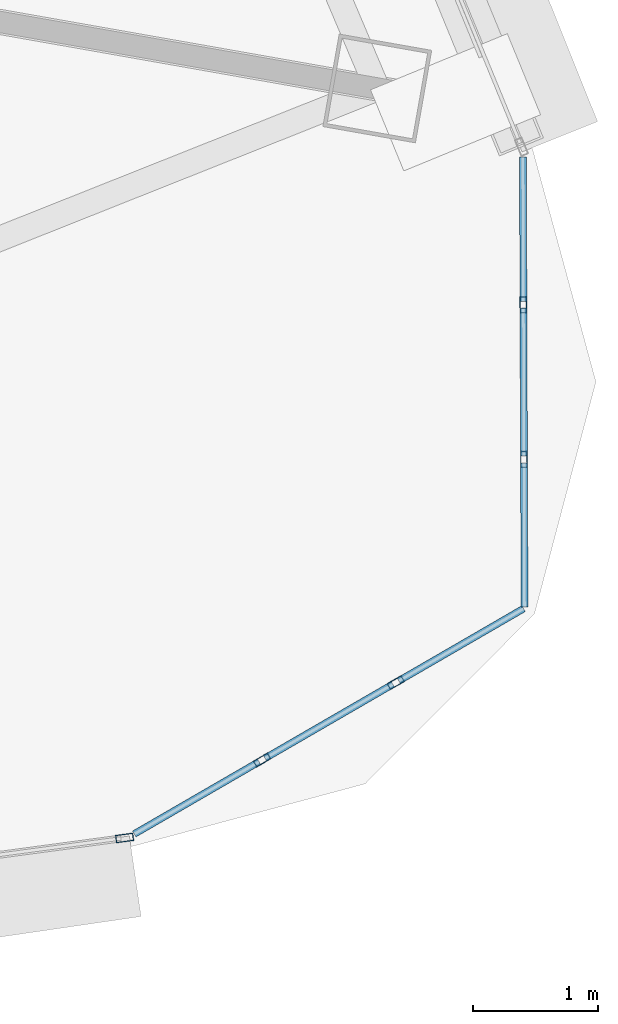
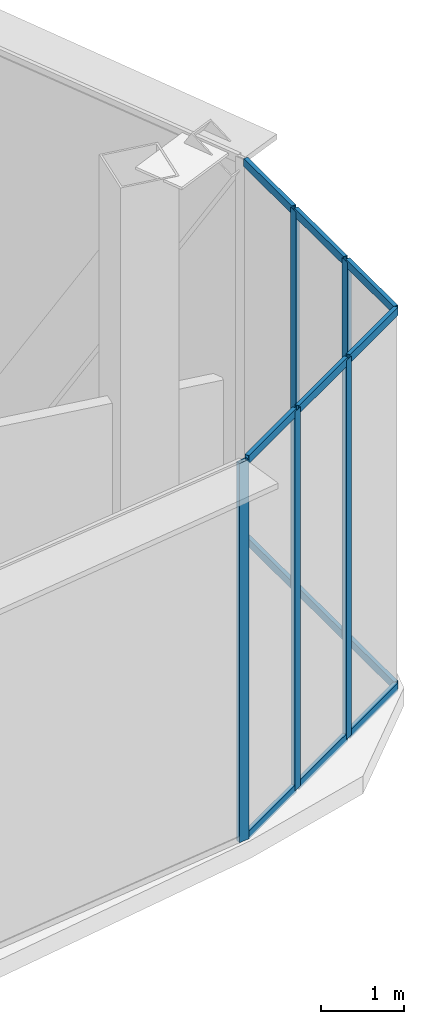
# One storey, part 14 of 33: 17 members, 3 elements without a shape of their own.
"""IFC4 building model written with IfcOpenShell, lengths in metres."""

import ifcopenshell
import ifcopenshell.guid

model = None  # the IFC model being written
_history = None  # IfcOwnerHistory: only IFC2X3 demands one
_inside = {}  # id of a spatial element -> (the spatial element, [elements in it])
_under = {}  # id of a project, library or spatial element -> (it, [spatial elements below it])
_declared = {}  # id of a project -> (the project, [libraries it declares])
_typed = {}  # id of a type object -> (the type object, [elements of that type])
_made_of = {}  # id of a material, layer set ... -> (it, [elements and type objects made of it])


def new_model(schema):
    """Start an empty IFC model of exactly this schema.

    Asked for "IFC4X3", IfcOpenShell would pick the latest addendum, in which some entities
    have other attributes; the version numbers below select the first issue.
    IFC2X3 requires an IfcOwnerHistory on every rooted entity: one is made here for all.
    """
    global model, _history
    if schema == "IFC4X3":
        model = ifcopenshell.file(schema_version=(4, 3, 0, 0))
    else:
        model = ifcopenshell.file(schema=schema)
    _inside.clear()
    _under.clear()
    _declared.clear()
    _typed.clear()
    _made_of.clear()
    _history = None
    if model.schema == "IFC2X3":
        org = make("IfcOrganization", Name="unknown")
        user = make(
            "IfcPersonAndOrganization",
            ThePerson=make("IfcPerson", FamilyName="unknown"),
            TheOrganization=org,
        )
        app = make(
            "IfcApplication",
            ApplicationDeveloper=org,
            Version="unknown",
            ApplicationFullName="unknown",
            ApplicationIdentifier="unknown",
        )
        _history = make(
            "IfcOwnerHistory",
            OwningUser=user,
            OwningApplication=app,
            ChangeAction="ADDED",
            CreationDate=0,
        )
    return model


def make(cls, **values):
    """One entity of the class cls with the attributes given. An attribute that is None is left unset."""
    return model.create_entity(
        cls, **{name: value for name, value in values.items() if value is not None}
    )


def rooted(cls, **values):
    """An entity with a GlobalId (a new one), such as an element, a storey or a relation."""
    return make(cls, GlobalId=ifcopenshell.guid.new(), OwnerHistory=_history, **values)


def si_unit(unit_type, name, prefix=None):
    """IfcSIUnit, for example si_unit("LENGTHUNIT", "METRE", prefix="MILLI")."""
    return make("IfcSIUnit", UnitType=unit_type, Prefix=prefix, Name=name)


def assignment(units):
    """IfcUnitAssignment: the units of a project."""
    return None if units is None else make("IfcUnitAssignment", Units=units)


def point(xyz):
    """IfcCartesianPoint."""
    return None if xyz is None else make("IfcCartesianPoint", Coordinates=xyz)


def direction(xyz):
    """IfcDirection."""
    return None if xyz is None else make("IfcDirection", DirectionRatios=xyz)


def frame(location, z_axis=None, x_axis=None):
    """IfcAxis2Placement3D, a coordinate frame: its origin and axes. An axis left out is left unset."""
    return make(
        "IfcAxis2Placement3D",
        Location=point(location),
        Axis=direction(z_axis),
        RefDirection=direction(x_axis),
    )


def frame_2d(location, x_axis=None):
    """IfcAxis2Placement2D, a coordinate frame in the plane: its origin and x axis."""
    return make(
        "IfcAxis2Placement2D", Location=point(location), RefDirection=direction(x_axis)
    )


def origin():
    """The frame at (0, 0, 0) with its axes left unset."""
    return frame((0.0, 0.0, 0.0))


def origin_2d():
    """The frame at (0, 0) in the plane with its x axis left unset."""
    return frame_2d((0.0, 0.0))


def place(relative_to, where):
    """IfcLocalPlacement: puts the frame where relative to a parent placement (None: the world)."""
    return make(
        "IfcLocalPlacement", PlacementRelTo=relative_to, RelativePlacement=where
    )


def context(
    kind, dimensions, precision=None, world=None, true_north=None, identifier=None
):
    """IfcGeometricRepresentationContext, for example the 3D "Model" context."""
    return make(
        "IfcGeometricRepresentationContext",
        ContextIdentifier=identifier,
        ContextType=kind,
        CoordinateSpaceDimension=dimensions,
        Precision=precision,
        WorldCoordinateSystem=world,
        TrueNorth=true_north,
    )


def subcontext(parent, identifier, kind, view, scale=None):
    """IfcGeometricRepresentationSubContext, for example "Body" below "Model"."""
    return make(
        "IfcGeometricRepresentationSubContext",
        ContextIdentifier=identifier,
        ContextType=kind,
        ParentContext=parent,
        TargetScale=scale,
        TargetView=view,
    )


def project(units=None, contexts=None):
    """IfcProject with its units and contexts."""
    return rooted(
        "IfcProject",
        Name="project",
        RepresentationContexts=contexts,
        UnitsInContext=assignment(units),
    )


def spatial(cls, under=None, at=None, **own):
    """A site, building, storey or space (cls), placed at a placement, below another one or the project."""
    s = rooted(cls, ObjectPlacement=at, **own)
    if under is not None:
        _under.setdefault(under.id(), (under, []))[1].append(s)
    return s


def profile(cls, at=None, kind="AREA", **sizes):
    """A parametric profile (cls). Its sizes go by their IFC names, for example OverallWidth=200.0."""
    return make(cls, ProfileType=kind, Position=at, **sizes)


def hollow_rectangle(**sizes):
    """IfcRectangleHollowProfileDef."""
    return profile("IfcRectangleHollowProfileDef", **sizes)


def extrude(swept, where, along, depth):
    """IfcExtrudedAreaSolid: the profile swept, set in the frame where, extruded along a direction by depth."""
    return make(
        "IfcExtrudedAreaSolid",
        SweptArea=swept,
        Position=where,
        ExtrudedDirection=direction(along),
        Depth=depth,
    )


def shape(context_of_items, identifier, shape_type, items):
    """IfcShapeRepresentation: the items that make up one representation, for example the "Body"."""
    return make(
        "IfcShapeRepresentation",
        ContextOfItems=context_of_items,
        RepresentationIdentifier=identifier,
        RepresentationType=shape_type,
        Items=items,
    )


def source(mapping_origin, context_of_items, identifier, shape_type, items):
    """IfcRepresentationMap: a shape defined once, which mapped items show again and again."""
    return make(
        "IfcRepresentationMap",
        MappingOrigin=mapping_origin,
        MappedRepresentation=shape(context_of_items, identifier, shape_type, items),
    )


def transform(
    local_origin,
    x_axis=None,
    y_axis=None,
    z_axis=None,
    scale=None,
    scale2=None,
    scale3=None,
    uniform=True,
):
    """IfcCartesianTransformationOperator3D, or its non-uniform kind. x_axis, y_axis, z_axis: its Axis1, 2, 3."""
    if uniform:
        return make(
            "IfcCartesianTransformationOperator3D",
            Axis1=direction(x_axis),
            Axis2=direction(y_axis),
            LocalOrigin=point(local_origin),
            Scale=scale,
            Axis3=direction(z_axis),
        )
    return make(
        "IfcCartesianTransformationOperator3DnonUniform",
        Axis1=direction(x_axis),
        Axis2=direction(y_axis),
        LocalOrigin=point(local_origin),
        Scale=scale,
        Axis3=direction(z_axis),
        Scale2=scale2,
        Scale3=scale3,
    )


def mapped(mapping_source, mapping_target):
    """IfcMappedItem: shows the shape of a source again, moved by a transform."""
    return make(
        "IfcMappedItem", MappingSource=mapping_source, MappingTarget=mapping_target
    )


def material(Name=None, Category=None):
    """IfcMaterial."""
    return make("IfcMaterial", Name=Name, Category=Category)


def layer(
    of_material, thickness, ventilated=None, Name=None, Category=None, Priority=None
):
    """IfcMaterialLayer: one layer of a wall or slab, of a material (None: an air gap)."""
    return make(
        "IfcMaterialLayer",
        Material=of_material,
        LayerThickness=thickness,
        IsVentilated=ventilated,
        Name=Name,
        Category=Category,
        Priority=Priority,
    )


def layer_set(layers, Name=None):
    """IfcMaterialLayerSet."""
    return make("IfcMaterialLayerSet", MaterialLayers=layers, LayerSetName=Name)


def material_profile(
    of_material, cross_section, Name=None, Category=None, Priority=None
):
    """IfcMaterialProfile: a cross section and its material."""
    return make(
        "IfcMaterialProfile",
        Name=Name,
        Material=of_material,
        Profile=cross_section,
        Priority=Priority,
        Category=Category,
    )


def profile_set(profiles, Name=None, composite=None):
    """IfcMaterialProfileSet."""
    return make(
        "IfcMaterialProfileSet",
        Name=Name,
        MaterialProfiles=profiles,
        CompositeProfile=composite,
    )


def made_of(thing, what):
    """Note that an element or type object is made of a material, layer set ...; save() writes the relation."""
    if what is not None:
        _made_of.setdefault(what.id(), (what, []))[1].append(thing)
    return thing


def type_object(cls, material=None, **own):
    """A type object (cls), such as IfcWallType, which elements share."""
    return made_of(rooted(cls, **own), material)


def element(
    cls,
    number,
    at=None,
    inside=None,
    cuts=None,
    type_object=None,
    material=None,
    context=None,
    identifier="Body",
    shape_type=None,
    held_by="IfcProductDefinitionShape",
    body=None,
    shapes=None,
    **own,
):
    """One element of the class cls, such as IfcWall. Its Tag is "e" and its number.

    at: its placement. inside: the storey or other place that contains it. cuts: it is an
    opening in that element (IfcRelVoidsElement). A single representation is given by context,
    identifier, shape_type and body (its items); several are given by shapes. held_by: the class
    of the entity that holds the representations. save() writes the other relations.
    """
    e = rooted(cls, Tag="e%d" % number, ObjectPlacement=at, **own)
    if body is not None:
        shapes = [shape(context, identifier, shape_type, body)]
    if shapes is not None:
        e.Representation = make(held_by, Representations=shapes)
    if inside is not None:
        _inside.setdefault(inside.id(), (inside, []))[1].append(e)
    if cuts is not None:
        rooted(
            "IfcRelVoidsElement", RelatingBuildingElement=cuts, RelatedOpeningElement=e
        )
    if type_object is not None:
        _typed.setdefault(type_object.id(), (type_object, []))[1].append(e)
    return made_of(e, material)


def aggregate(whole, parts):
    """IfcRelAggregates: a whole, such as a stair, and the parts it consists of."""
    return rooted("IfcRelAggregates", RelatingObject=whole, RelatedObjects=parts)


def save(model, path):
    """Write the relations noted so far, then the file.

    IfcRelAggregates (storeys below a building ...), IfcRelContainedInSpatialStructure (elements
    in a storey), IfcRelDefinesByType, IfcRelAssociatesMaterial and IfcRelDeclares: one each for
    every whole, place, type object, material and project.
    """
    for whole, parts in _under.values():
        aggregate(whole, parts)
    for where, things in _inside.values():
        rooted(
            "IfcRelContainedInSpatialStructure",
            RelatedElements=things,
            RelatingStructure=where,
        )
    for kind, things in _typed.values():
        rooted("IfcRelDefinesByType", RelatedObjects=things, RelatingType=kind)
    for what, things in _made_of.values():
        rooted("IfcRelAssociatesMaterial", RelatedObjects=things, RelatingMaterial=what)
    for by, libraries in _declared.values():
        rooted("IfcRelDeclares", RelatingContext=by, RelatedDefinitions=libraries)
    model.write(path)


model = new_model("IFC4")

# Units and contexts
model_context = context("Model", 3, precision=1e-05, world=origin(), true_north=direction((0.0, 1.0)))
body_context = subcontext(model_context, "Body", "Model", "MODEL_VIEW")
ifc_project = project(units=[si_unit("LENGTHUNIT", "METRE"), si_unit("AREAUNIT", "SQUARE_METRE"), si_unit("VOLUMEUNIT", "CUBIC_METRE"), si_unit("PLANEANGLEUNIT", "RADIAN"), si_unit("MASSUNIT", "GRAM", prefix="KILO"), si_unit("THERMODYNAMICTEMPERATUREUNIT", "KELVIN"), si_unit("POWERUNIT", "WATT")], contexts=[model_context])

# Site, building, storey
site_placement = place(None, origin())
site = spatial("IfcSite", under=ifc_project, at=site_placement, CompositionType="ELEMENT")
building_placement = place(site_placement, origin())
building = spatial("IfcBuilding", under=site, at=building_placement, Name="Yunzhuo Pagoda Commons", CompositionType="ELEMENT")
storey_placement = place(building_placement, frame((0.0, 0.0, 314.860107421875)))
storey = spatial("IfcBuildingStorey", under=building, at=storey_placement, Name="L79", CompositionType="ELEMENT", Elevation=314.860107421875)

# Curtain wall, members
ifc_material = material(Name="Anodized aluminium 6063-T6", Category="aluminium")
ifc_layer_1 = layer(ifc_material, 0.1298828125)
ifc_layer_set_1 = layer_set([ifc_layer_1], Name="Anodized aluminium 6063-T6")
curtain_wall_type_1 = type_object("IfcCurtainWallType", Name="CW-VTX Rounded Corner Curtain Wall", PredefinedType="NOTDEFINED", material=ifc_layer_set_1)
curtain_wall_1_placement = place(storey_placement, origin())
curtain_wall_1 = element("IfcCurtainWall", 1, at=curtain_wall_1_placement, inside=storey, type_object=curtain_wall_type_1, Name="L79 curtain wall CW-L79-VTX2S1", PredefinedType="NOTDEFINED")
ifc_material_profile_1 = material_profile(ifc_material, hollow_rectangle(XDim=0.054931640625, YDim=0.1201171875, WallThickness=0.00341796875, at=origin_2d()), Name="Anodized aluminium 6063-T6")
ifc_profile_set_1 = profile_set([ifc_material_profile_1], Name="Anodized aluminium 6063-T6")
member_type_1 = type_object("IfcMemberType", Name="CW-VTX-T Transom RHS 120x55x3.5", PredefinedType="USERDEFINED", material=ifc_profile_set_1)
shared_shape_1 = source(origin(), body_context, "Body", "SweptSolid", [
    extrude(hollow_rectangle(XDim=0.054931640625, YDim=0.1201171875, WallThickness=0.00341796875, at=origin_2d()), origin(), (0.0, 0.0, 1.0), 1.151611328125),
])
member_1_placement = place(storey_placement, frame((74.720947265625, 22.692626953125, 0.02734375), z_axis=(0.865450477202, 0.500994482515, 0.0), x_axis=(-0.500994482515, 0.865450477202, 0.0)))
member_1 = element("IfcMember", 2, at=member_1_placement, type_object=member_type_1, Name="CW transom 1.1", ObjectType="TRANSOM", PredefinedType="USERDEFINED", context=body_context, shape_type="MappedRepresentation", body=[
    mapped(shared_shape_1, transform((0.0, 0.0, 0.0), scale=1.0)),
])
member_2_placement = place(storey_placement, frame((74.720947265625, 22.692626953125, 5.54248046875), z_axis=(0.865450477202, 0.500994482515, 0.0), x_axis=(-0.500994482515, 0.865450477202, 0.0)))
member_2 = element("IfcMember", 3, at=member_2_placement, type_object=member_type_1, Name="CW transom 1.2", ObjectType="TRANSOM", PredefinedType="USERDEFINED", context=body_context, shape_type="MappedRepresentation", body=[
    mapped(shared_shape_1, transform((0.0, 0.0, 0.0), scale=1.0)),
])
member_3_placement = place(storey_placement, frame((76.833251953125, 23.915283203125, 0.02734375), z_axis=(0.865358545126, 0.501153258373, 0.0), x_axis=(-0.501153258373, 0.865358545126, 0.0)))
member_3 = element("IfcMember", 4, at=member_3_placement, type_object=member_type_1, Name="CW transom 3.1", ObjectType="TRANSOM", PredefinedType="USERDEFINED", context=body_context, shape_type="MappedRepresentation", body=[
    mapped(shared_shape_1, transform((0.0, 0.0, 0.0), scale=1.0)),
])
member_4_placement = place(storey_placement, frame((76.833251953125, 23.915283203125, 5.54248046875), z_axis=(0.865358545126, 0.501153258373, 0.0), x_axis=(-0.501153258373, 0.865358545126, 0.0)))
member_4 = element("IfcMember", 5, at=member_4_placement, type_object=member_type_1, Name="CW transom 3.2", ObjectType="TRANSOM", PredefinedType="USERDEFINED", context=body_context, shape_type="MappedRepresentation", body=[
    mapped(shared_shape_1, transform((0.0, 0.0, 0.0), scale=1.0)),
])

curtain_wall_2_placement = place(storey_placement, origin())
curtain_wall_2 = element("IfcCurtainWall", 6, at=curtain_wall_2_placement, inside=storey, type_object=curtain_wall_type_1, Name="L79 curtain wall CW-L79-VTX2S2", PredefinedType="NOTDEFINED")
member_5_placement = place(storey_placement, frame((77.83740234375, 24.50537109375, 0.02734375), z_axis=(-0.003603962179, 0.999993505707, 0.0), x_axis=(-0.999993505707, -0.003603962179, 0.0)))
member_5 = element("IfcMember", 7, at=member_5_placement, type_object=member_type_1, Name="CW transom 1.1", ObjectType="TRANSOM", PredefinedType="USERDEFINED", context=body_context, shape_type="MappedRepresentation", body=[
    mapped(shared_shape_1, transform((0.0, 0.0, 0.0), scale=1.0)),
])
member_6_placement = place(storey_placement, frame((77.83740234375, 24.50537109375, 5.54248046875), z_axis=(-0.003603962179, 0.999993505707, 0.0), x_axis=(-0.999993505707, -0.003603962179, 0.0)))
member_6 = element("IfcMember", 8, at=member_6_placement, type_object=member_type_1, Name="CW transom 1.2", ObjectType="TRANSOM", PredefinedType="USERDEFINED", context=body_context, shape_type="MappedRepresentation", body=[
    mapped(shared_shape_1, transform((0.0, 0.0, 0.0), scale=1.0)),
])
member_7_placement = place(storey_placement, frame((77.82861328125, 26.946044921875, 0.02734375), z_axis=(-0.003603962179, 0.999993505707, 0.0), x_axis=(-0.999993505707, -0.003603962179, 0.0)))
member_7 = element("IfcMember", 9, at=member_7_placement, type_object=member_type_1, Name="CW transom 3.1", ObjectType="TRANSOM", PredefinedType="USERDEFINED", context=body_context, shape_type="MappedRepresentation", body=[
    mapped(shared_shape_1, transform((0.0, 0.0, 0.0), scale=1.0)),
])
member_8_placement = place(storey_placement, frame((77.82861328125, 26.946044921875, 5.54248046875), z_axis=(-0.003603962179, 0.999993505707, 0.0), x_axis=(-0.999993505707, -0.003603962179, 0.0)))
member_8 = element("IfcMember", 10, at=member_8_placement, type_object=member_type_1, Name="CW transom 3.2", ObjectType="TRANSOM", PredefinedType="USERDEFINED", context=body_context, shape_type="MappedRepresentation", body=[
    mapped(shared_shape_1, transform((0.0, 0.0, 0.0), scale=1.0)),
])
shared_shape_2 = source(origin(), body_context, "Body", "SweptSolid", [
    extrude(hollow_rectangle(XDim=0.054931640625, YDim=0.1201171875, WallThickness=0.00341796875, at=origin_2d()), origin(), (0.0, 0.0, 1.0), 1.17919921875),
])
member_9_placement = place(storey_placement, frame((77.8330078125, 25.7119140625, 0.02734375), z_axis=(-0.003726682196, 0.999993055896, 0.0), x_axis=(-0.999993055896, -0.003726682196, 0.0)))
member_9 = element("IfcMember", 11, at=member_9_placement, type_object=member_type_1, Name="CW transom 2.1", ObjectType="TRANSOM", PredefinedType="USERDEFINED", context=body_context, shape_type="MappedRepresentation", body=[
    mapped(shared_shape_2, transform((0.0, 0.0, 0.0), scale=1.0)),
])
member_10_placement = place(storey_placement, frame((77.8330078125, 25.7119140625, 5.54248046875), z_axis=(-0.003726682196, 0.999993055896, 0.0), x_axis=(-0.999993055896, -0.003726682196, 0.0)))
member_10 = element("IfcMember", 12, at=member_10_placement, type_object=member_type_1, Name="CW transom 2.2", ObjectType="TRANSOM", PredefinedType="USERDEFINED", context=body_context, shape_type="MappedRepresentation", body=[
    mapped(shared_shape_2, transform((0.0, 0.0, 0.0), scale=1.0)),
])

# Member
shared_shape_3 = source(origin(), body_context, "Body", "SweptSolid", [
    extrude(hollow_rectangle(XDim=0.054931640625, YDim=0.1201171875, WallThickness=0.00341796875, at=origin_2d()), origin(), (0.0, 0.0, 1.0), 1.179443359375),
])
member_11_placement = place(storey_placement, frame((75.76513671875, 23.297119140625, 0.02734375), z_axis=(0.865388493917, 0.501101541204, 0.0), x_axis=(-0.501101541204, 0.865388493917, 0.0)))
member_11 = element("IfcMember", 13, at=member_11_placement, type_object=member_type_1, Name="CW transom 2.1", ObjectType="TRANSOM", PredefinedType="USERDEFINED", context=body_context, shape_type="MappedRepresentation", body=[
    mapped(shared_shape_3, transform((0.0, 0.0, 0.0), scale=1.0)),
])

member_12_placement = place(storey_placement, frame((75.76513671875, 23.297119140625, 5.54248046875), z_axis=(0.865388493917, 0.501101541204, 0.0), x_axis=(-0.501101541204, 0.865388493917, 0.0)))
member_12 = element("IfcMember", 14, at=member_12_placement, type_object=member_type_1, Name="CW transom 2.2", ObjectType="TRANSOM", PredefinedType="USERDEFINED", context=body_context, shape_type="MappedRepresentation", body=[
    mapped(shared_shape_3, transform((0.0, 0.0, 0.0), scale=1.0)),
])

# Curtain wall, member
ifc_layer_2 = layer(ifc_material, 0.139892578125)
ifc_layer_set_2 = layer_set([ifc_layer_2], Name="Anodized aluminium 6063-T6")
curtain_wall_type_2 = type_object("IfcCurtainWallType", Name="CW-HI High-Zone Ribbon Curtain Wall", PredefinedType="NOTDEFINED", material=ifc_layer_set_2)
curtain_wall_3_placement = place(storey_placement, origin())
curtain_wall_3 = element("IfcCurtainWall", 15, at=curtain_wall_3_placement, inside=storey, type_object=curtain_wall_type_2, Name="L79 curtain wall CW-L79-F1B5", PredefinedType="NOTDEFINED")
ifc_material_profile_2 = material_profile(ifc_material, hollow_rectangle(XDim=0.06005859375, YDim=0.139892578125, WallThickness=0.00341796875, at=origin_2d()), Name="Anodized aluminium 6063-T6")
ifc_profile_set_2 = profile_set([ifc_material_profile_2], Name="Anodized aluminium 6063-T6")
member_type_2 = type_object("IfcMemberType", Name="CW-HI-M Mullion RHS 140x60x3.5", PredefinedType="MULLION", material=ifc_profile_set_2)
shared_shape_4 = source(origin(), body_context, "Body", "SweptSolid", [
    extrude(hollow_rectangle(XDim=0.06005859375, YDim=0.139892578125, WallThickness=0.00341796875, at=origin_2d()), origin(), (0.0, 0.0, 1.0), 5.56982421875),
])
member_13_placement = place(storey_placement, frame((74.6435546875, 22.660888671875, 0.0), z_axis=(0.0, 0.0, 1.0), x_axis=(-0.133518525759, 0.991046317424, 0.0)))
member_13 = element("IfcMember", 16, at=member_13_placement, type_object=member_type_2, Name="CW mullion 2", PredefinedType="MULLION", context=body_context, shape_type="MappedRepresentation", body=[
    mapped(shared_shape_4, transform((0.0, 0.0, 0.0), scale=1.0)),
])
aggregate(curtain_wall_3, [member_13])

# Member
ifc_material_profile_3 = material_profile(ifc_material, hollow_rectangle(XDim=0.054931640625, YDim=0.1298828125, WallThickness=0.00341796875, at=origin_2d()), Name="Anodized aluminium 6063-T6")
ifc_profile_set_3 = profile_set([ifc_material_profile_3], Name="Anodized aluminium 6063-T6")
member_type_3 = type_object("IfcMemberType", Name="CW-VTX-M Mullion RHS 130x55x3.5", PredefinedType="MULLION", material=ifc_profile_set_3)
shared_shape_5 = source(origin(), body_context, "Body", "SweptSolid", [
    extrude(hollow_rectangle(XDim=0.054931640625, YDim=0.1298828125, WallThickness=0.00341796875, at=origin_2d()), origin(), (0.0, 0.0, 1.0), 5.56982421875),
])
member_14_placement = place(storey_placement, frame((75.741455078125, 23.283203125, 0.0), z_axis=(0.0, 0.0, 1.0), x_axis=(-0.501026687771, 0.86543183333, 0.0)))
member_14 = element("IfcMember", 17, at=member_14_placement, type_object=member_type_3, Name="CW mullion 2", PredefinedType="MULLION", context=body_context, shape_type="MappedRepresentation", body=[
    mapped(shared_shape_5, transform((0.0, 0.0, 0.0), scale=1.0)),
])

member_15_placement = place(storey_placement, frame((76.809326171875, 23.901611328125, 0.0), z_axis=(0.0, 0.0, 1.0), x_axis=(-0.501026687771, 0.86543183333, 0.0)))
member_15 = element("IfcMember", 18, at=member_15_placement, type_object=member_type_3, Name="CW mullion 3", PredefinedType="MULLION", context=body_context, shape_type="MappedRepresentation", body=[
    mapped(shared_shape_5, transform((0.0, 0.0, 0.0), scale=1.0)),
])

aggregate(curtain_wall_1, [member_14, member_15, member_1, member_2, member_11, member_12, member_3, member_4])

member_16_placement = place(storey_placement, frame((77.8330078125, 25.6845703125, 0.0), z_axis=(0.0, 0.0, 1.0), x_axis=(-0.999993547183, -0.003592435359, 0.0)))
member_16 = element("IfcMember", 19, at=member_16_placement, type_object=member_type_3, Name="CW mullion 2", PredefinedType="MULLION", context=body_context, shape_type="MappedRepresentation", body=[
    mapped(shared_shape_5, transform((0.0, 0.0, 0.0), scale=1.0)),
])

member_17_placement = place(storey_placement, frame((77.82861328125, 26.91845703125, 0.0), z_axis=(0.0, 0.0, 1.0), x_axis=(-0.999993547183, -0.003592435359, 0.0)))
member_17 = element("IfcMember", 20, at=member_17_placement, type_object=member_type_3, Name="CW mullion 3", PredefinedType="MULLION", context=body_context, shape_type="MappedRepresentation", body=[
    mapped(shared_shape_5, transform((0.0, 0.0, 0.0), scale=1.0)),
])

aggregate(curtain_wall_2, [member_16, member_17, member_5, member_6, member_9, member_10, member_7, member_8])

save(model, "model.ifc")
